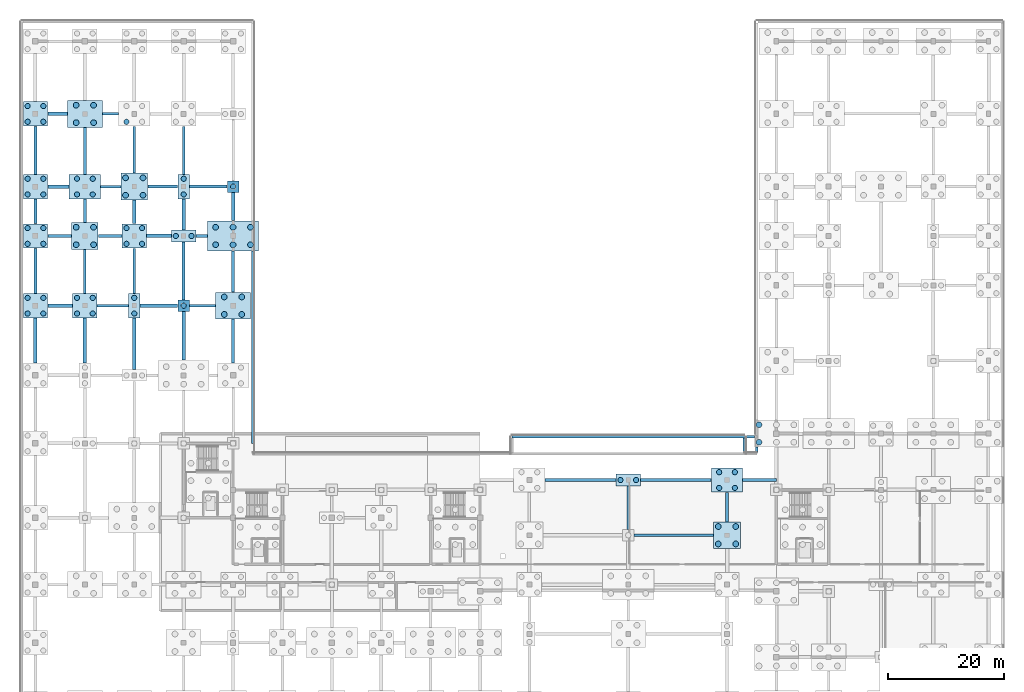
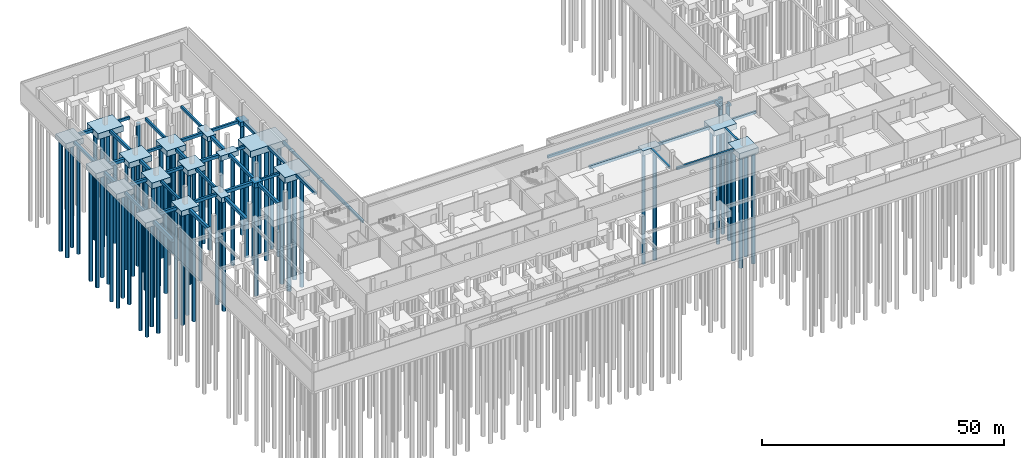
# One storey, part 4 of 25: 71 piles, 63 footings.
"""IFC4 building model written with IfcOpenShell, lengths in metres."""

from ifc_helpers import new_model, si_unit, direction, frame, origin, origin_2d, place, context, subcontext, project, spatial, rectangle, circle, extrude, material, material_profile, profile_set, type_object, element, save


model = new_model("IFC4")

# Units and contexts
model_context = context("Model", 3, precision=1e-05, world=origin(), true_north=direction((0.0, 1.0)))
body_context = subcontext(model_context, "Body", "Model", "MODEL_VIEW")
ifc_project = project(units=[si_unit("LENGTHUNIT", "METRE"), si_unit("AREAUNIT", "SQUARE_METRE"), si_unit("VOLUMEUNIT", "CUBIC_METRE"), si_unit("PLANEANGLEUNIT", "RADIAN"), si_unit("MASSUNIT", "GRAM", prefix="KILO")], contexts=[model_context])

# Site, building, storey
site_placement = place(None, origin())
site = spatial("IfcSite", under=ifc_project, at=site_placement, CompositionType="ELEMENT")
building_placement = place(site_placement, origin())
building = spatial("IfcBuilding", under=site, at=building_placement, Name="Solvikara Media Centre", CompositionType="ELEMENT")
storey_placement = place(building_placement, frame((0.0, 0.0, -4.800048828125)))
storey = spatial("IfcBuildingStorey", under=building, at=storey_placement, Name="B01", CompositionType="ELEMENT", Elevation=-4.800048828125)

# Piles
ifc_material = material(Name="Concrete fc' 35 MPa (C35/45)", Category="concrete")
ifc_material_profile_1 = material_profile(ifc_material, circle(Radius=0.449951171875, at=origin_2d()), Name="BORED PILE D900")
ifc_profile_set_1 = profile_set([ifc_material_profile_1], Name="Concrete fc' 35 MPa (C35/45)")
pile_type_1 = type_object("IfcPileType", Name="BP-01", PredefinedType="BORED", material=ifc_profile_set_1)
for number, where, z_axis, x_axis, name in (
    (1, (-1.35009765625, 67.14990234375, -1.25), (0.0, 0.0, -1.0), (1.0, 0.0, 0.0), "PL-011-01"),
    (2, (1.35009765625, 67.14990234375, -1.25), (0.0, 0.0, -1.0), (1.0, 0.0, 0.0), "PL-011-02"),
    (3, (-1.35009765625, 69.85009765625, -1.25), (0.0, 0.0, -1.0), (1.0, 0.0, 0.0), "PL-011-03"),
    (4, (1.35009765625, 69.85009765625, -1.25), (0.0, 0.0, -1.0), (1.0, 0.0, 0.0), "PL-011-04"),
    (5, (-1.35009765625, 79.14990234375, -1.25), (0.0, 0.0, -1.0), (1.0, 0.0, 0.0), "PL-012-01"),
    (6, (1.35009765625, 79.14990234375, -1.25), (0.0, 0.0, -1.0), (1.0, 0.0, 0.0), "PL-012-02"),
    (7, (-1.35009765625, 81.85009765625, -1.25), (0.0, 0.0, -1.0), (1.0, 0.0, 0.0), "PL-012-03"),
    (8, (1.35009765625, 81.85009765625, -1.25), (0.0, 0.0, -1.0), (1.0, 0.0, 0.0), "PL-012-04"),
    (9, (-1.35009765625, 87.64990234375, -1.25), (0.0, 0.0, -1.0), (1.0, 0.0, 0.0), "PL-013-01"),
    (10, (1.35009765625, 87.64990234375, -1.25), (0.0, 0.0, -1.0), (1.0, 0.0, 0.0), "PL-013-02"),
    (11, (-1.35009765625, 90.35009765625, -1.25), (0.0, 0.0, -1.0), (1.0, 0.0, 0.0), "PL-013-03"),
    (12, (1.35009765625, 90.35009765625, -1.25), (0.0, 0.0, -1.0), (1.0, 0.0, 0.0), "PL-013-04"),
    (13, (-1.35009765625, 100.14990234375, -1.25), (0.0, 0.0, -1.0), (1.0, 0.0, 0.0), "PL-014-01"),
    (14, (1.35009765625, 100.14990234375, -1.25), (0.0, 0.0, -1.0), (1.0, 0.0, 0.0), "PL-014-02"),
    (15, (-1.35009765625, 102.85009765625, -1.25), (0.0, 0.0, -1.0), (1.0, 0.0, 0.0), "PL-014-03"),
    (16, (1.35009765625, 102.85009765625, -1.25), (0.0, 0.0, -1.0), (1.0, 0.0, 0.0), "PL-014-04"),
    (17, (7.14990234375, 67.14990234375, -1.25), (0.0, 0.0, -1.0), (1.0, 0.0, 0.0), "PL-021-01"),
    (18, (9.85009765625, 67.14990234375, -1.25), (0.0, 0.0, -1.0), (1.0, 0.0, 0.0), "PL-021-02"),
    (19, (7.14990234375, 69.85009765625, -1.25), (0.0, 0.0, -1.0), (1.0, 0.0, 0.0), "PL-021-03"),
    (20, (9.85009765625, 69.85009765625, -1.25), (0.0, 0.0, -1.0), (1.0, 0.0, 0.0), "PL-021-04"),
    (21, (7.14990234375, 87.64990234375, -1.300048828125), (0.0, 0.0, -1.0), (1.0, 0.0, 0.0), "PL-023-01"),
    (22, (9.85009765625, 87.64990234375, -1.300048828125), (0.0, 0.0, -1.0), (1.0, 0.0, 0.0), "PL-023-02"),
    (23, (7.14990234375, 90.35009765625, -1.300048828125), (0.0, 0.0, -1.0), (1.0, 0.0, 0.0), "PL-023-03"),
    (24, (9.85009765625, 90.35009765625, -1.300048828125), (0.0, 0.0, -1.0), (1.0, 0.0, 0.0), "PL-023-04"),
    (25, (17.0, 67.14990234375, -1.14990234375), (0.0, 0.0, -1.0), (1.0, 0.0, 0.0), "PL-031-01"),
    (26, (17.0, 69.85009765625, -1.14990234375), (0.0, 0.0, -1.0), (1.0, 0.0, 0.0), "PL-031-02"),
    (27, (15.64990234375, 79.14990234375, -1.25), (0.0, 0.0, -1.0), (1.0, 0.0, 0.0), "PL-032-01"),
    (28, (18.35009765625, 79.14990234375, -1.25), (0.0, 0.0, -1.0), (1.0, 0.0, 0.0), "PL-032-02"),
    (29, (15.64990234375, 81.85009765625, -1.25), (0.0, 0.0, -1.0), (1.0, 0.0, 0.0), "PL-032-03"),
    (30, (18.35009765625, 81.85009765625, -1.25), (0.0, 0.0, -1.0), (1.0, 0.0, 0.0), "PL-032-04"),
    (31, (15.64990234375, 100.14990234375, -1.300048828125), (0.0, 0.0, -1.0), (1.0, 0.0, 0.0), "PL-034-01"),
    (32, (25.5, 68.5, -1.099853515625), (0.0, 0.0, -1.0), (1.0, 0.0, 0.0), "PL-042-01"),
    (33, (24.14990234375, 80.5, -1.14990234375), (0.0, 0.0, -1.0), (1.0, 0.0, 0.0), "PL-043-01"),
    (34, (26.85009765625, 80.5, -1.14990234375), (0.0, 0.0, -1.0), (1.0, 0.0, 0.0), "PL-043-02"),
    (35, (25.5, 87.64990234375, -1.14990234375), (0.0, 0.0, -1.0), (1.0, 0.0, 0.0), "PL-044-01"),
    (36, (25.5, 90.35009765625, -1.14990234375), (0.0, 0.0, -1.0), (1.0, 0.0, 0.0), "PL-044-02"),
    (37, (34.0, 89.0, -1.099853515625), (0.0, 0.0, -1.0), (1.0, 0.0, 0.0), "PL-051-01"),
    (38, (100.64990234375, 38.5, -1.14990234375), (0.0, 0.0, -1.0), (1.0, 0.0, 0.0), "PL-088-01"),
    (39, (103.35009765625, 38.5, -1.14990234375), (0.0, 0.0, -1.0), (1.0, 0.0, 0.0), "PL-088-02"),
    (40, (117.64990234375, 37.14990234375, -1.300048828125), (0.0, 0.0, -1.0), (1.0, 0.0, 0.0), "PL-093-01"),
    (41, (120.35009765625, 37.14990234375, -1.300048828125), (0.0, 0.0, -1.0), (1.0, 0.0, 0.0), "PL-093-02"),
    (42, (117.64990234375, 39.85009765625, -1.300048828125), (0.0, 0.0, -1.0), (1.0, 0.0, 0.0), "PL-093-03"),
    (43, (120.35009765625, 39.85009765625, -1.300048828125), (0.0, 0.0, -1.0), (1.0, 0.0, 0.0), "PL-093-04"),
):
    element("IfcPile", number, at=place(storey_placement, frame(where, z_axis=z_axis, x_axis=x_axis)), inside=storey, type_object=pile_type_1, Name=name, PredefinedType="BORED", context=body_context, shape_type="SweptSolid", body=[
        extrude(circle(Radius=0.449951171875, at=origin_2d()), origin(), (0.0, 0.0, 1.0), 28.0),
    ])
ifc_material_profile_2 = material_profile(ifc_material, circle(Radius=0.5, at=origin_2d()), Name="BORED PILE D1000")
ifc_profile_set_2 = profile_set([ifc_material_profile_2], Name="Concrete fc' 35 MPa (C35/45)")
pile_type_2 = type_object("IfcPileType", Name="BP-02", PredefinedType="BORED", material=ifc_profile_set_2)
for number, where, z_axis, x_axis, name in (
    (44, (7.0, 79.0, -1.349853515625), (0.0, 0.0, -1.0), (1.0, 0.0, 0.0), "PL-022-01"),
    (45, (10.0, 79.0, -1.349853515625), (0.0, 0.0, -1.0), (1.0, 0.0, 0.0), "PL-022-02"),
    (46, (7.0, 82.0, -1.349853515625), (0.0, 0.0, -1.0), (1.0, 0.0, 0.0), "PL-022-03"),
    (47, (10.0, 82.0, -1.349853515625), (0.0, 0.0, -1.0), (1.0, 0.0, 0.0), "PL-022-04"),
    (48, (7.0, 100.0, -1.39990234375), (0.0, 0.0, -1.0), (1.0, 0.0, 0.0), "PL-024-01"),
    (49, (10.0, 100.0, -1.39990234375), (0.0, 0.0, -1.0), (1.0, 0.0, 0.0), "PL-024-02"),
    (50, (7.0, 103.0, -1.39990234375), (0.0, 0.0, -1.0), (1.0, 0.0, 0.0), "PL-024-03"),
    (51, (10.0, 103.0, -1.39990234375), (0.0, 0.0, -1.0), (1.0, 0.0, 0.0), "PL-024-04"),
    (52, (15.5, 87.5, -1.349853515625), (0.0, 0.0, -1.0), (1.0, 0.0, 0.0), "PL-033-01"),
    (53, (18.5, 87.5, -1.349853515625), (0.0, 0.0, -1.0), (1.0, 0.0, 0.0), "PL-033-02"),
    (54, (15.5, 90.5, -1.349853515625), (0.0, 0.0, -1.0), (1.0, 0.0, 0.0), "PL-033-03"),
    (55, (18.5, 90.5, -1.349853515625), (0.0, 0.0, -1.0), (1.0, 0.0, 0.0), "PL-033-04"),
    (56, (32.5, 67.0, -1.39990234375), (0.0, 0.0, -1.0), (1.0, 0.0, 0.0), "PL-049-01"),
    (57, (35.5, 67.0, -1.39990234375), (0.0, 0.0, -1.0), (1.0, 0.0, 0.0), "PL-049-02"),
    (58, (32.5, 70.0, -1.39990234375), (0.0, 0.0, -1.0), (1.0, 0.0, 0.0), "PL-049-03"),
    (59, (35.5, 70.0, -1.39990234375), (0.0, 0.0, -1.0), (1.0, 0.0, 0.0), "PL-049-04"),
    (60, (31.0, 79.0, -1.5), (0.0, 0.0, -1.0), (1.0, 0.0, 0.0), "PL-050-01"),
    (61, (34.0, 79.0, -1.5), (0.0, 0.0, -1.0), (1.0, 0.0, 0.0), "PL-050-02"),
    (62, (37.0, 79.0, -1.5), (0.0, 0.0, -1.0), (1.0, 0.0, 0.0), "PL-050-03"),
    (63, (31.0, 82.0, -1.5), (0.0, 0.0, -1.0), (1.0, 0.0, 0.0), "PL-050-04"),
    (64, (34.0, 82.0, -1.5), (0.0, 0.0, -1.0), (1.0, 0.0, 0.0), "PL-050-05"),
    (65, (37.0, 82.0, -1.5), (0.0, 0.0, -1.0), (1.0, 0.0, 0.0), "PL-050-06"),
    (66, (117.5, 27.5, -1.349853515625), (0.0, 0.0, -1.0), (1.0, 0.0, 0.0), "PL-092-01"),
    (67, (120.5, 27.5, -1.349853515625), (0.0, 0.0, -1.0), (1.0, 0.0, 0.0), "PL-092-02"),
    (68, (117.5, 30.5, -1.349853515625), (0.0, 0.0, -1.0), (1.0, 0.0, 0.0), "PL-092-03"),
    (69, (120.5, 30.5, -1.349853515625), (0.0, 0.0, -1.0), (1.0, 0.0, 0.0), "PL-092-04"),
    (70, (124.5, 45.0, -1.449951171875), (0.0, 0.0, -1.0), (1.0, 0.0, 0.0), "PL-097-01"),
    (71, (124.5, 48.0, -1.449951171875), (0.0, 0.0, -1.0), (1.0, 0.0, 0.0), "PL-097-04"),
):
    element("IfcPile", number, at=place(storey_placement, frame(where, z_axis=z_axis, x_axis=x_axis)), inside=storey, type_object=pile_type_2, Name=name, PredefinedType="BORED", context=body_context, shape_type="SweptSolid", body=[
        extrude(circle(Radius=0.5, at=origin_2d()), origin(), (0.0, 0.0, 1.0), 28.0),
    ])

# Footings
footing_type_1 = type_object("IfcFootingType", Name="FT-01", PredefinedType="PILE_CAP", material=ifc_material)
for number, where, z_axis, x_axis, name in (
    (72, (25.5, 68.5, -1.19970703125), (0.0, 0.0, 1.0), (1.0, 0.0, 0.0), "PC-042"),
    (73, (34.0, 89.0, -1.19970703125), (0.0, 0.0, 1.0), (1.0, 0.0, 0.0), "PC-051"),
):
    element("IfcFooting", number, at=place(storey_placement, frame(where, z_axis=z_axis, x_axis=x_axis)), inside=storey, type_object=footing_type_1, Name=name, PredefinedType="PILE_CAP", context=body_context, shape_type="SweptSolid", body=[
        extrude(rectangle(XDim=2.0, YDim=2.0, at=origin_2d()), origin(), (0.0, 0.0, 1.0), 1.199951171875),
    ])
footing_type_2 = type_object("IfcFootingType", Name="FT-02", PredefinedType="PILE_CAP", material=ifc_material)
for number, where, z_axis, x_axis, name in (
    (74, (25.5, 80.5, -1.25), (0.0, 0.0, 1.0), (1.0, 0.0, 0.0), "PC-043"),
    (75, (102.0, 38.5, -1.25), (0.0, 0.0, 1.0), (1.0, 0.0, 0.0), "PC-088"),
):
    element("IfcFooting", number, at=place(storey_placement, frame(where, z_axis=z_axis, x_axis=x_axis)), inside=storey, type_object=footing_type_2, Name=name, PredefinedType="PILE_CAP", context=body_context, shape_type="SweptSolid", body=[
        extrude(rectangle(XDim=4.199951171875, YDim=2.0, at=origin_2d()), origin(), (0.0, 0.0, 1.0), 1.25),
    ])
footing_type_3 = type_object("IfcFootingType", Name="FT-03", PredefinedType="PILE_CAP", material=ifc_material)
for number, where, z_axis, x_axis, name in (
    (76, (17.0, 68.5, -1.25), (0.0, 0.0, 1.0), (1.0, 0.0, 0.0), "PC-031"),
    (77, (25.5, 89.0, -1.25), (0.0, 0.0, 1.0), (1.0, 0.0, 0.0), "PC-044"),
):
    element("IfcFooting", number, at=place(storey_placement, frame(where, z_axis=z_axis, x_axis=x_axis)), inside=storey, type_object=footing_type_3, Name=name, PredefinedType="PILE_CAP", context=body_context, shape_type="SweptSolid", body=[
        extrude(rectangle(XDim=2.0, YDim=4.199951171875, at=origin_2d()), origin(), (0.0, 0.0, 1.0), 1.25),
    ])
footing_type_4 = type_object("IfcFootingType", Name="FT-04", PredefinedType="PILE_CAP", material=ifc_material)
for number, where, z_axis, x_axis, name in (
    (78, (0.0, 68.5, -1.35009765625), (0.0, 0.0, 1.0), (1.0, 0.0, 0.0), "PC-011"),
    (79, (0.0, 80.5, -1.35009765625), (0.0, 0.0, 1.0), (1.0, 0.0, 0.0), "PC-012"),
    (80, (0.0, 89.0, -1.35009765625), (0.0, 0.0, 1.0), (1.0, 0.0, 0.0), "PC-013"),
    (81, (0.0, 101.5, -1.35009765625), (0.0, 0.0, 1.0), (1.0, 0.0, 0.0), "PC-014"),
    (82, (8.5, 68.5, -1.35009765625), (0.0, 0.0, 1.0), (1.0, 0.0, 0.0), "PC-021"),
    (83, (17.0, 80.5, -1.35009765625), (0.0, 0.0, 1.0), (1.0, 0.0, 0.0), "PC-032"),
):
    element("IfcFooting", number, at=place(storey_placement, frame(where, z_axis=z_axis, x_axis=x_axis)), inside=storey, type_object=footing_type_4, Name=name, PredefinedType="PILE_CAP", context=body_context, shape_type="SweptSolid", body=[
        extrude(rectangle(XDim=4.199951171875, YDim=4.199951171875, at=origin_2d()), origin(), (0.0, 0.0, 1.0), 1.35009765625),
    ])
footing_type_5 = type_object("IfcFootingType", Name="FT-05", PredefinedType="PILE_CAP", material=ifc_material)
for number, where, z_axis, x_axis, name in (
    (84, (8.5, 80.5, -1.44970703125), (0.0, 0.0, 1.0), (1.0, 0.0, 0.0), "PC-022"),
    (85, (17.0, 89.0, -1.44970703125), (0.0, 0.0, 1.0), (1.0, 0.0, 0.0), "PC-033"),
    (86, (119.0, 29.0, -1.44970703125), (0.0, 0.0, 1.0), (1.0, 0.0, 0.0), "PC-092"),
):
    element("IfcFooting", number, at=place(storey_placement, frame(where, z_axis=z_axis, x_axis=x_axis)), inside=storey, type_object=footing_type_5, Name=name, PredefinedType="PILE_CAP", context=body_context, shape_type="SweptSolid", body=[
        extrude(rectangle(XDim=4.60009765625, YDim=4.60009765625, at=origin_2d()), origin(), (0.0, 0.0, 1.0), 1.449951171875),
    ])
footing_type_6 = type_object("IfcFootingType", Name="FT-08", PredefinedType="PILE_CAP", material=ifc_material)
for number, where, z_axis, x_axis, name in (
    (87, (8.5, 89.0, -1.39990234375), (0.0, 0.0, 1.0), (1.0, 0.0, 0.0), "PC-023"),
    (88, (119.0, 38.5, -1.39990234375), (0.0, 0.0, 1.0), (1.0, 0.0, 0.0), "PC-093"),
):
    element("IfcFooting", number, at=place(storey_placement, frame(where, z_axis=z_axis, x_axis=x_axis)), inside=storey, type_object=footing_type_6, Name=name, PredefinedType="PILE_CAP", context=body_context, shape_type="SweptSolid", body=[
        extrude(rectangle(XDim=5.39990234375, YDim=4.199951171875, at=origin_2d()), origin(), (0.0, 0.0, 1.0), 1.39990234375),
    ])
footing_type_7 = type_object("IfcFootingType", Name="FT-09", PredefinedType="PILE_CAP", material=ifc_material)
for number, where, z_axis, x_axis, name in (
    (89, (8.5, 101.5, -1.5), (0.0, 0.0, 1.0), (1.0, 0.0, 0.0), "PC-024"),
    (90, (34.0, 68.5, -1.5), (0.0, 0.0, 1.0), (1.0, 0.0, 0.0), "PC-049"),
):
    element("IfcFooting", number, at=place(storey_placement, frame(where, z_axis=z_axis, x_axis=x_axis)), inside=storey, type_object=footing_type_7, Name=name, PredefinedType="PILE_CAP", context=body_context, shape_type="SweptSolid", body=[
        extrude(rectangle(XDim=6.0, YDim=4.60009765625, at=origin_2d()), origin(), (0.0, 0.0, 1.0), 1.5),
    ])
footing_type_8 = type_object("IfcFootingType", Name="FT-10", PredefinedType="PILE_CAP", material=ifc_material)
footing_1_placement = place(storey_placement, frame((34.0, 80.5, -1.60009765625), z_axis=(0.0, 0.0, 1.0), x_axis=(1.0, 0.0, 0.0)))
element("IfcFooting", 91, at=footing_1_placement, inside=storey, type_object=footing_type_8, Name="PC-050", PredefinedType="PILE_CAP", context=body_context, shape_type="SweptSolid", body=[
    extrude(rectangle(XDim=8.800048828125, YDim=5.199951171875, at=origin_2d()), origin(), (0.0, 0.0, 1.0), 1.60009765625),
])
ifc_material_profile_3 = material_profile(ifc_material, rectangle(XDim=0.5, YDim=0.699951171875, at=origin_2d()), Name="RC 500x700")
ifc_profile_set_3 = profile_set([ifc_material_profile_3], Name="Concrete fc' 35 MPa (C35/45)")
footing_type_9 = type_object("IfcFootingType", Name="FT-11", PredefinedType="FOOTING_BEAM", material=ifc_profile_set_3)
footing_2_placement = place(storey_placement, frame((104.1201171875, 38.5, -0.349853515625), z_axis=(1.0, 0.0, 0.0), x_axis=(0.0, 1.0, 0.0)))
element("IfcFooting", 92, at=footing_2_placement, inside=storey, type_object=footing_type_9, Name="FTB-057", PredefinedType="FOOTING_BEAM", context=body_context, shape_type="SweptSolid", body=[
    extrude(rectangle(XDim=0.5, YDim=0.699951171875, at=origin_2d()), origin(), (0.0, 0.0, 1.0), 12.159912109375),
])
footing_3_placement = place(storey_placement, frame((10.6201171875, 68.5, -0.349853515625), z_axis=(1.0, 0.0, 0.0), x_axis=(0.0, 1.0, 0.0)))
element("IfcFooting", 93, at=footing_3_placement, inside=storey, type_object=footing_type_9, Name="FTB-073", PredefinedType="FOOTING_BEAM", context=body_context, shape_type="SweptSolid", body=[
    extrude(rectangle(XDim=0.5, YDim=0.699951171875, at=origin_2d()), origin(), (0.0, 0.0, 1.0), 5.35986328125),
])
footing_4_placement = place(storey_placement, frame((10.820068359375, 80.5, -0.349853515625), z_axis=(1.0, 0.0, 0.0), x_axis=(0.0, 1.0, 0.0)))
element("IfcFooting", 94, at=footing_4_placement, inside=storey, type_object=footing_type_9, Name="FTB-081", PredefinedType="FOOTING_BEAM", context=body_context, shape_type="SweptSolid", body=[
    extrude(rectangle(XDim=0.5, YDim=0.699951171875, at=origin_2d()), origin(), (0.0, 0.0, 1.0), 4.059814453125),
])
footing_5_placement = place(storey_placement, frame((26.52001953125, 89.0, -0.349853515625), z_axis=(1.0, 0.0, 0.0), x_axis=(0.0, 1.0, 0.0)))
element("IfcFooting", 95, at=footing_5_placement, inside=storey, type_object=footing_type_9, Name="FTB-089", PredefinedType="FOOTING_BEAM", context=body_context, shape_type="SweptSolid", body=[
    extrude(rectangle(XDim=0.5, YDim=0.699951171875, at=origin_2d()), origin(), (0.0, 0.0, 1.0), 6.4599609375),
])
footing_6_placement = place(storey_placement, frame((0.0, 91.1201171875, -0.349853515625), z_axis=(0.0, 1.0, 0.0), x_axis=(-1.0, 0.0, 0.0)))
element("IfcFooting", 96, at=footing_6_placement, inside=storey, type_object=footing_type_9, Name="FTB-117", PredefinedType="FOOTING_BEAM", context=body_context, shape_type="SweptSolid", body=[
    extrude(rectangle(XDim=0.5, YDim=0.699951171875, at=origin_2d()), origin(), (0.0, 0.0, 1.0), 8.259765625),
])
for number, where, z_axis, x_axis, name in (
    (97, (8.5, 91.1201171875, -0.349853515625), (0.0, 1.0, 0.0), (-1.0, 0.0, 0.0), "FTB-125"),
    (98, (17.0, 91.320068359375, -0.349853515625), (0.0, 1.0, 0.0), (-1.0, 0.0, 0.0), "FTB-133"),
):
    element("IfcFooting", number, at=place(storey_placement, frame(where, z_axis=z_axis, x_axis=x_axis)), inside=storey, type_object=footing_type_9, Name=name, PredefinedType="FOOTING_BEAM", context=body_context, shape_type="SweptSolid", body=[
        extrude(rectangle(XDim=0.5, YDim=0.699951171875, at=origin_2d()), origin(), (0.0, 0.0, 1.0), 8.059814453125),
    ])
footing_7_placement = place(storey_placement, frame((25.5, 69.52001953125, -0.349853515625), z_axis=(0.0, 1.0, 0.0), x_axis=(-1.0, 0.0, 0.0)))
element("IfcFooting", 99, at=footing_7_placement, inside=storey, type_object=footing_type_9, Name="FTB-141", PredefinedType="FOOTING_BEAM", context=body_context, shape_type="SweptSolid", body=[
    extrude(rectangle(XDim=0.5, YDim=0.699951171875, at=origin_2d()), origin(), (0.0, 0.0, 1.0), 9.9599609375),
])
footing_8_placement = place(storey_placement, frame((34.0, 70.820068359375, -0.349853515625), z_axis=(0.0, 1.0, 0.0), x_axis=(-1.0, 0.0, 0.0)))
element("IfcFooting", 100, at=footing_8_placement, inside=storey, type_object=footing_type_9, Name="FTB-149", PredefinedType="FOOTING_BEAM", context=body_context, shape_type="SweptSolid", body=[
    extrude(rectangle(XDim=0.5, YDim=0.699951171875, at=origin_2d()), origin(), (0.0, 0.0, 1.0), 7.059814453125),
])
ifc_material_profile_4 = material_profile(ifc_material, rectangle(XDim=0.60009765625, YDim=0.800048828125, at=origin_2d()), Name="RC 600x800")
ifc_profile_set_4 = profile_set([ifc_material_profile_4], Name="Concrete fc' 35 MPa (C35/45)")
footing_type_10 = type_object("IfcFootingType", Name="FT-12", PredefinedType="FOOTING_BEAM", material=ifc_profile_set_4)
footing_9_placement = place(storey_placement, frame((18.02001953125, 68.5, -0.39990234375), z_axis=(1.0, 0.0, 0.0), x_axis=(0.0, 1.0, 0.0)))
element("IfcFooting", 101, at=footing_9_placement, inside=storey, type_object=footing_type_10, Name="FTB-074", PredefinedType="FOOTING_BEAM", context=body_context, shape_type="SweptSolid", body=[
    extrude(rectangle(XDim=0.60009765625, YDim=0.800048828125, at=origin_2d()), origin(), (0.0, 0.0, 1.0), 6.4599609375),
])
footing_10_placement = place(storey_placement, frame((19.1201171875, 80.5, -0.39990234375), z_axis=(1.0, 0.0, 0.0), x_axis=(0.0, 1.0, 0.0)))
element("IfcFooting", 102, at=footing_10_placement, inside=storey, type_object=footing_type_10, Name="FTB-082", PredefinedType="FOOTING_BEAM", context=body_context, shape_type="SweptSolid", body=[
    extrude(rectangle(XDim=0.60009765625, YDim=0.800048828125, at=origin_2d()), origin(), (0.0, 0.0, 1.0), 4.259765625),
])
footing_11_placement = place(storey_placement, frame((2.1201171875, 89.0, -0.39990234375), z_axis=(1.0, 0.0, 0.0), x_axis=(0.0, 1.0, 0.0)))
element("IfcFooting", 103, at=footing_11_placement, inside=storey, type_object=footing_type_10, Name="FTB-086", PredefinedType="FOOTING_BEAM", context=body_context, shape_type="SweptSolid", body=[
    extrude(rectangle(XDim=0.60009765625, YDim=0.800048828125, at=origin_2d()), origin(), (0.0, 0.0, 1.0), 3.659912109375),
])
footing_12_placement = place(storey_placement, frame((2.1201171875, 101.5, -0.39990234375), z_axis=(1.0, 0.0, 0.0), x_axis=(0.0, 1.0, 0.0)))
element("IfcFooting", 104, at=footing_12_placement, inside=storey, type_object=footing_type_10, Name="FTB-094", PredefinedType="FOOTING_BEAM", context=body_context, shape_type="SweptSolid", body=[
    extrude(rectangle(XDim=0.60009765625, YDim=0.800048828125, at=origin_2d()), origin(), (0.0, 0.0, 1.0), 3.35986328125),
])
for number, where, z_axis, x_axis, name in (
    (105, (0.0, 58.6201171875, -0.39990234375), (0.0, 1.0, 0.0), (-1.0, 0.0, 0.0), "FTB-114"),
    (106, (8.5, 58.6201171875, -0.39990234375), (0.0, 1.0, 0.0), (-1.0, 0.0, 0.0), "FTB-122"),
):
    element("IfcFooting", number, at=place(storey_placement, frame(where, z_axis=z_axis, x_axis=x_axis)), inside=storey, type_object=footing_type_10, Name=name, PredefinedType="FOOTING_BEAM", context=body_context, shape_type="SweptSolid", body=[
        extrude(rectangle(XDim=0.60009765625, YDim=0.800048828125, at=origin_2d()), origin(), (0.0, 0.0, 1.0), 7.759765625),
    ])
footing_13_placement = place(storey_placement, frame((17.0, 57.52001953125, -0.39990234375), z_axis=(0.0, 1.0, 0.0), x_axis=(-1.0, 0.0, 0.0)))
element("IfcFooting", 107, at=footing_13_placement, inside=storey, type_object=footing_type_10, Name="FTB-130", PredefinedType="FOOTING_BEAM", context=body_context, shape_type="SweptSolid", body=[
    extrude(rectangle(XDim=0.60009765625, YDim=0.800048828125, at=origin_2d()), origin(), (0.0, 0.0, 1.0), 8.85986328125),
])
footing_14_placement = place(storey_placement, frame((25.5, 81.52001953125, -0.39990234375), z_axis=(0.0, 1.0, 0.0), x_axis=(-1.0, 0.0, 0.0)))
element("IfcFooting", 108, at=footing_14_placement, inside=storey, type_object=footing_type_10, Name="FTB-142", PredefinedType="FOOTING_BEAM", context=body_context, shape_type="SweptSolid", body=[
    extrude(rectangle(XDim=0.60009765625, YDim=0.800048828125, at=origin_2d()), origin(), (0.0, 0.0, 1.0), 5.35986328125),
])
footing_15_placement = place(storey_placement, frame((34.0, 83.1201171875, -0.39990234375), z_axis=(0.0, 1.0, 0.0), x_axis=(-1.0, 0.0, 0.0)))
element("IfcFooting", 109, at=footing_15_placement, inside=storey, type_object=footing_type_10, Name="FTB-150", PredefinedType="FOOTING_BEAM", context=body_context, shape_type="SweptSolid", body=[
    extrude(rectangle(XDim=0.60009765625, YDim=0.800048828125, at=origin_2d()), origin(), (0.0, 0.0, 1.0), 4.85986328125),
])
ifc_material_profile_5 = material_profile(ifc_material, rectangle(XDim=0.449951171875, YDim=0.64990234375, at=origin_2d()), Name="RC 450x650")
ifc_profile_set_5 = profile_set([ifc_material_profile_5], Name="Concrete fc' 35 MPa (C35/45)")
footing_type_11 = type_object("IfcFootingType", Name="FT-13", PredefinedType="FOOTING_BEAM", material=ifc_profile_set_5)
footing_16_placement = place(storey_placement, frame((103.02001953125, 29.0, -0.324951171875), z_axis=(1.0, 0.0, 0.0), x_axis=(0.0, 1.0, 0.0)))
element("IfcFooting", 110, at=footing_16_placement, inside=storey, type_object=footing_type_11, Name="FTB-043", PredefinedType="FOOTING_BEAM", context=body_context, shape_type="SweptSolid", body=[
    extrude(rectangle(XDim=0.449951171875, YDim=0.64990234375, at=origin_2d()), origin(), (0.0, 0.0, 1.0), 13.659912109375),
])
footing_17_placement = place(storey_placement, frame((26.52001953125, 68.5, -0.324951171875), z_axis=(1.0, 0.0, 0.0), x_axis=(0.0, 1.0, 0.0)))
element("IfcFooting", 111, at=footing_17_placement, inside=storey, type_object=footing_type_11, Name="FTB-075", PredefinedType="FOOTING_BEAM", context=body_context, shape_type="SweptSolid", body=[
    extrude(rectangle(XDim=0.449951171875, YDim=0.64990234375, at=origin_2d()), origin(), (0.0, 0.0, 1.0), 4.4599609375),
])
footing_18_placement = place(storey_placement, frame((27.6201171875, 80.5, -0.324951171875), z_axis=(1.0, 0.0, 0.0), x_axis=(0.0, 1.0, 0.0)))
element("IfcFooting", 112, at=footing_18_placement, inside=storey, type_object=footing_type_11, Name="FTB-083", PredefinedType="FOOTING_BEAM", context=body_context, shape_type="SweptSolid", body=[
    extrude(rectangle(XDim=0.449951171875, YDim=0.64990234375, at=origin_2d()), origin(), (0.0, 0.0, 1.0), 1.9599609375),
])
footing_19_placement = place(storey_placement, frame((11.219970703125, 89.0, -0.324951171875), z_axis=(1.0, 0.0, 0.0), x_axis=(0.0, 1.0, 0.0)))
element("IfcFooting", 113, at=footing_19_placement, inside=storey, type_object=footing_type_11, Name="FTB-087", PredefinedType="FOOTING_BEAM", context=body_context, shape_type="SweptSolid", body=[
    extrude(rectangle(XDim=0.449951171875, YDim=0.64990234375, at=origin_2d()), origin(), (0.0, 0.0, 1.0), 3.4599609375),
])
footing_20_placement = place(storey_placement, frame((11.52001953125, 101.5, -0.324951171875), z_axis=(1.0, 0.0, 0.0), x_axis=(0.0, 1.0, 0.0)))
element("IfcFooting", 114, at=footing_20_placement, inside=storey, type_object=footing_type_11, Name="FTB-095", PredefinedType="FOOTING_BEAM", context=body_context, shape_type="SweptSolid", body=[
    extrude(rectangle(XDim=0.449951171875, YDim=0.64990234375, at=origin_2d()), origin(), (0.0, 0.0, 1.0), 2.760009765625),
])
footing_21_placement = place(storey_placement, frame((0.0, 70.6201171875, -0.324951171875), z_axis=(0.0, 1.0, 0.0), x_axis=(-1.0, 0.0, 0.0)))
element("IfcFooting", 115, at=footing_21_placement, inside=storey, type_object=footing_type_11, Name="FTB-115", PredefinedType="FOOTING_BEAM", context=body_context, shape_type="SweptSolid", body=[
    extrude(rectangle(XDim=0.449951171875, YDim=0.64990234375, at=origin_2d()), origin(), (0.0, 0.0, 1.0), 7.759765625),
])
footing_22_placement = place(storey_placement, frame((8.5, 70.6201171875, -0.324951171875), z_axis=(0.0, 1.0, 0.0), x_axis=(-1.0, 0.0, 0.0)))
element("IfcFooting", 116, at=footing_22_placement, inside=storey, type_object=footing_type_11, Name="FTB-123", PredefinedType="FOOTING_BEAM", context=body_context, shape_type="SweptSolid", body=[
    extrude(rectangle(XDim=0.449951171875, YDim=0.64990234375, at=origin_2d()), origin(), (0.0, 0.0, 1.0), 7.559814453125),
])
footing_23_placement = place(storey_placement, frame((17.0, 70.6201171875, -0.324951171875), z_axis=(0.0, 1.0, 0.0), x_axis=(-1.0, 0.0, 0.0)))
element("IfcFooting", 117, at=footing_23_placement, inside=storey, type_object=footing_type_11, Name="FTB-131", PredefinedType="FOOTING_BEAM", context=body_context, shape_type="SweptSolid", body=[
    extrude(rectangle(XDim=0.449951171875, YDim=0.64990234375, at=origin_2d()), origin(), (0.0, 0.0, 1.0), 7.759765625),
])
footing_24_placement = place(storey_placement, frame((25.5, 91.1201171875, -0.324951171875), z_axis=(0.0, 1.0, 0.0), x_axis=(-1.0, 0.0, 0.0)))
element("IfcFooting", 118, at=footing_24_placement, inside=storey, type_object=footing_type_11, Name="FTB-143", PredefinedType="FOOTING_BEAM", context=body_context, shape_type="SweptSolid", body=[
    extrude(rectangle(XDim=0.449951171875, YDim=0.64990234375, at=origin_2d()), origin(), (0.0, 0.0, 1.0), 8.259765625),
])
footing_25_placement = place(storey_placement, frame((102.0, 30.02001953125, -0.324951171875), z_axis=(0.0, 1.0, 0.0), x_axis=(-1.0, 0.0, 0.0)))
element("IfcFooting", 119, at=footing_25_placement, inside=storey, type_object=footing_type_11, Name="FTB-175", PredefinedType="FOOTING_BEAM", context=body_context, shape_type="SweptSolid", body=[
    extrude(rectangle(XDim=0.449951171875, YDim=0.64990234375, at=origin_2d()), origin(), (0.0, 0.0, 1.0), 7.4599609375),
])
footing_26_placement = place(storey_placement, frame((119.0, 31.320068359375, -0.324951171875), z_axis=(0.0, 1.0, 0.0), x_axis=(-1.0, 0.0, 0.0)))
element("IfcFooting", 120, at=footing_26_placement, inside=storey, type_object=footing_type_11, Name="FTB-179", PredefinedType="FOOTING_BEAM", context=body_context, shape_type="SweptSolid", body=[
    extrude(rectangle(XDim=0.449951171875, YDim=0.64990234375, at=origin_2d()), origin(), (0.0, 0.0, 1.0), 5.059814453125),
])
footing_27_placement = place(storey_placement, frame((121.699951171875, 38.5, -0.324951171875), z_axis=(1.0, 0.0, 0.0), x_axis=(0.0, 1.0, 0.0)))
element("IfcFooting", 121, at=footing_27_placement, inside=storey, type_object=footing_type_11, Name="FTB-232", PredefinedType="FOOTING_BEAM", context=body_context, shape_type="SweptSolid", body=[
    extrude(rectangle(XDim=0.449951171875, YDim=0.64990234375, at=origin_2d()), origin(), (0.0, 0.0, 1.0), 5.800048828125),
])
footing_28_placement = place(storey_placement, frame((37.3798828125, 44.800048828125, -0.324951171875), z_axis=(0.0, 1.0, 0.0), x_axis=(-1.0, 0.0, 0.0)))
element("IfcFooting", 122, at=footing_28_placement, inside=storey, type_object=footing_type_11, Name="FTB-235", PredefinedType="FOOTING_BEAM", context=body_context, shape_type="SweptSolid", body=[
    extrude(rectangle(XDim=0.449951171875, YDim=0.64990234375, at=origin_2d()), origin(), (0.0, 0.0, 1.0), 33.099853515625),
])
footing_29_placement = place(storey_placement, frame((124.1201171875, 43.219970703125, -0.324951171875), z_axis=(0.0, 1.0, 0.0), x_axis=(-1.0, 0.0, 0.0)))
element("IfcFooting", 123, at=footing_29_placement, inside=storey, type_object=footing_type_11, Name="FTB-238", PredefinedType="FOOTING_BEAM", context=body_context, shape_type="SweptSolid", body=[
    extrude(rectangle(XDim=0.449951171875, YDim=0.64990234375, at=origin_2d()), origin(), (0.0, 0.0, 1.0), 0.97998046875),
])
footing_30_placement = place(storey_placement, frame((82.0, 45.97998046875, -0.324951171875), z_axis=(1.0, 0.0, 0.0), x_axis=(0.0, 1.0, 0.0)))
element("IfcFooting", 124, at=footing_30_placement, inside=storey, type_object=footing_type_11, Name="FTB-253", PredefinedType="FOOTING_BEAM", context=body_context, shape_type="SweptSolid", body=[
    extrude(rectangle(XDim=0.449951171875, YDim=0.64990234375, at=origin_2d()), origin(), (0.0, 0.0, 1.0), 41.699951171875),
])
footing_31_placement = place(storey_placement, frame((122.0, 43.22998046875, -0.324951171875), z_axis=(0.0, 1.0, 0.0), x_axis=(-1.0, 0.0, 0.0)))
element("IfcFooting", 125, at=footing_31_placement, inside=storey, type_object=footing_type_11, Name="FTB-255", PredefinedType="FOOTING_BEAM", context=body_context, shape_type="SweptSolid", body=[
    extrude(rectangle(XDim=0.449951171875, YDim=0.64990234375, at=origin_2d()), origin(), (0.0, 0.0, 1.0), 2.52001953125),
])
ifc_material_profile_6 = material_profile(ifc_material, rectangle(XDim=0.550048828125, YDim=0.75, at=origin_2d()), Name="RC 550x750")
ifc_profile_set_6 = profile_set([ifc_material_profile_6], Name="Concrete fc' 35 MPa (C35/45)")
footing_type_12 = type_object("IfcFootingType", Name="FT-14", PredefinedType="FOOTING_BEAM", material=ifc_profile_set_6)
footing_32_placement = place(storey_placement, frame((87.719970703125, 38.5, -0.375), z_axis=(1.0, 0.0, 0.0), x_axis=(0.0, 1.0, 0.0)))
element("IfcFooting", 126, at=footing_32_placement, inside=storey, type_object=footing_type_12, Name="FTB-056", PredefinedType="FOOTING_BEAM", context=body_context, shape_type="SweptSolid", body=[
    extrude(rectangle(XDim=0.550048828125, YDim=0.75, at=origin_2d()), origin(), (0.0, 0.0, 1.0), 12.159912109375),
])
footing_33_placement = place(storey_placement, frame((2.1201171875, 68.5, -0.375), z_axis=(1.0, 0.0, 0.0), x_axis=(0.0, 1.0, 0.0)))
element("IfcFooting", 127, at=footing_33_placement, inside=storey, type_object=footing_type_12, Name="FTB-072", PredefinedType="FOOTING_BEAM", context=body_context, shape_type="SweptSolid", body=[
    extrude(rectangle(XDim=0.550048828125, YDim=0.75, at=origin_2d()), origin(), (0.0, 0.0, 1.0), 4.259765625),
])
footing_34_placement = place(storey_placement, frame((2.1201171875, 80.5, -0.375), z_axis=(1.0, 0.0, 0.0), x_axis=(0.0, 1.0, 0.0)))
element("IfcFooting", 128, at=footing_34_placement, inside=storey, type_object=footing_type_12, Name="FTB-080", PredefinedType="FOOTING_BEAM", context=body_context, shape_type="SweptSolid", body=[
    extrude(rectangle(XDim=0.550048828125, YDim=0.75, at=origin_2d()), origin(), (0.0, 0.0, 1.0), 4.059814453125),
])
footing_35_placement = place(storey_placement, frame((19.320068359375, 89.0, -0.375), z_axis=(1.0, 0.0, 0.0), x_axis=(0.0, 1.0, 0.0)))
element("IfcFooting", 129, at=footing_35_placement, inside=storey, type_object=footing_type_12, Name="FTB-088", PredefinedType="FOOTING_BEAM", context=body_context, shape_type="SweptSolid", body=[
    extrude(rectangle(XDim=0.550048828125, YDim=0.75, at=origin_2d()), origin(), (0.0, 0.0, 1.0), 5.159912109375),
])
footing_36_placement = place(storey_placement, frame((0.0, 82.6201171875, -0.375), z_axis=(0.0, 1.0, 0.0), x_axis=(-1.0, 0.0, 0.0)))
element("IfcFooting", 130, at=footing_36_placement, inside=storey, type_object=footing_type_12, Name="FTB-116", PredefinedType="FOOTING_BEAM", context=body_context, shape_type="SweptSolid", body=[
    extrude(rectangle(XDim=0.550048828125, YDim=0.75, at=origin_2d()), origin(), (0.0, 0.0, 1.0), 4.259765625),
])
for number, where, z_axis, x_axis, name in (
    (131, (8.5, 82.820068359375, -0.375), (0.0, 1.0, 0.0), (-1.0, 0.0, 0.0), "FTB-124"),
    (132, (17.0, 82.6201171875, -0.375), (0.0, 1.0, 0.0), (-1.0, 0.0, 0.0), "FTB-132"),
):
    element("IfcFooting", number, at=place(storey_placement, frame(where, z_axis=z_axis, x_axis=x_axis)), inside=storey, type_object=footing_type_12, Name=name, PredefinedType="FOOTING_BEAM", context=body_context, shape_type="SweptSolid", body=[
        extrude(rectangle(XDim=0.550048828125, YDim=0.75, at=origin_2d()), origin(), (0.0, 0.0, 1.0), 4.059814453125),
    ])
footing_37_placement = place(storey_placement, frame((25.5, 59.1201171875, -0.375), z_axis=(0.0, 1.0, 0.0), x_axis=(-1.0, 0.0, 0.0)))
element("IfcFooting", 133, at=footing_37_placement, inside=storey, type_object=footing_type_12, Name="FTB-140", PredefinedType="FOOTING_BEAM", context=body_context, shape_type="SweptSolid", body=[
    extrude(rectangle(XDim=0.550048828125, YDim=0.75, at=origin_2d()), origin(), (0.0, 0.0, 1.0), 8.35986328125),
])
footing_38_placement = place(storey_placement, frame((34.0, 58.6201171875, -0.375), z_axis=(0.0, 1.0, 0.0), x_axis=(-1.0, 0.0, 0.0)))
element("IfcFooting", 134, at=footing_38_placement, inside=storey, type_object=footing_type_12, Name="FTB-148", PredefinedType="FOOTING_BEAM", context=body_context, shape_type="SweptSolid", body=[
    extrude(rectangle(XDim=0.550048828125, YDim=0.75, at=origin_2d()), origin(), (0.0, 0.0, 1.0), 7.559814453125),
])

save(model, "model.ifc")
